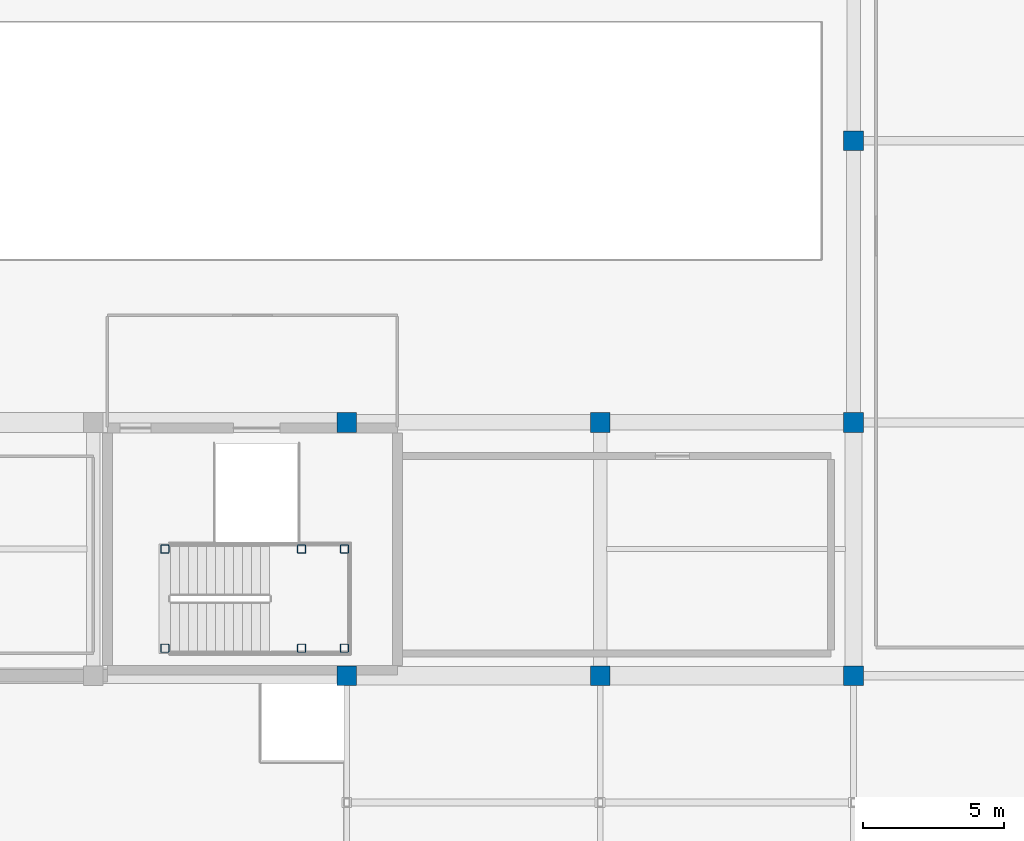
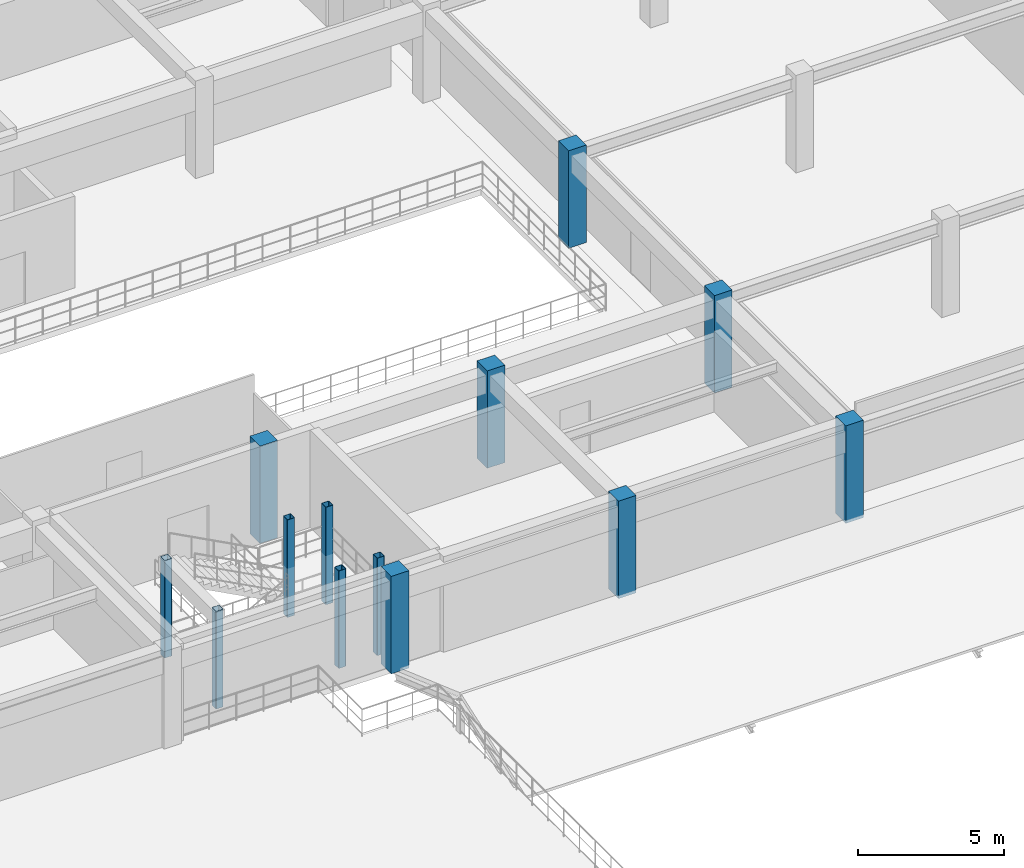
# One storey, part 4 of 110: 13 columns.
"""IFC4 building model written with IfcOpenShell, lengths in metres."""

from ifc_helpers import new_model, si_unit, direction, frame, origin, origin_2d, place, context, subcontext, project, spatial, rectangle, hollow_rectangle, extrude, material, material_profile, profile_set, type_object, element, save


model = new_model("IFC4")

# Units and contexts
model_context = context("Model", 3, precision=1e-05, world=origin(), true_north=direction((0.0, 1.0)))
body_context = subcontext(model_context, "Body", "Model", "MODEL_VIEW")
ifc_project = project(units=[si_unit("LENGTHUNIT", "METRE"), si_unit("AREAUNIT", "SQUARE_METRE"), si_unit("VOLUMEUNIT", "CUBIC_METRE"), si_unit("PLANEANGLEUNIT", "RADIAN"), si_unit("MASSUNIT", "GRAM", prefix="KILO")], contexts=[model_context])

# Site, building, storey
site_placement = place(None, origin())
site = spatial("IfcSite", under=ifc_project, at=site_placement, CompositionType="ELEMENT")
building_placement = place(site_placement, origin())
building = spatial("IfcBuilding", under=site, at=building_placement, Name="Miravela Opera House", CompositionType="ELEMENT")
storey_placement = place(building_placement, frame((0.0, 0.0, 13.60009765625)))
storey = spatial("IfcBuildingStorey", under=building, at=storey_placement, Name="L03", CompositionType="ELEMENT", Elevation=13.60009765625)

# Columns
ifc_material_1 = material(Name="Hollow structural steel ASTM A500 Gr. C", Category="steel")
ifc_material_profile_1 = material_profile(ifc_material_1, hollow_rectangle(XDim=0.300048828125, YDim=0.300048828125, WallThickness=0.01611328125, InnerFilletRadius=0.01611328125, OuterFilletRadius=0.031982421875, at=origin_2d()), Name="HSS300X300X16")
ifc_profile_set_1 = profile_set([ifc_material_profile_1])
column_type_1 = type_object("IfcColumnType", Name="STR-COL-HSS300", PredefinedType="COLUMN", material=ifc_profile_set_1)
for number, where, z_axis, x_axis, name in (
    (1, (110.5400390625, 37.97998046875, 0.0), (0.0, 0.0, 1.0), (1.0, 0.0, 0.0), "Stair K4 Landing Support Column 1 (L03)"),
    (2, (110.5400390625, 41.5, 0.0), (0.0, 0.0, 1.0), (1.0, 0.0, 0.0), "Stair K4 Landing Support Column 2 (L03)"),
    (3, (115.39990234375, 37.97998046875, 0.0), (0.0, 0.0, 1.0), (1.0, 0.0, 0.0), "Stair K4 Landing Support Column 3 (L03)"),
    (4, (115.39990234375, 41.5, 0.0), (0.0, 0.0, 1.0), (1.0, 0.0, 0.0), "Stair K4 Landing Support Column 4 (L03)"),
    (5, (116.919921875, 37.97998046875, 0.0), (0.0, 0.0, 1.0), (1.0, 0.0, 0.0), "Stair K4 Landing Support Column 5 (L03)"),
    (6, (116.919921875, 41.5, 0.0), (0.0, 0.0, 1.0), (1.0, 0.0, 0.0), "Stair K4 Landing Support Column 6 (L03)"),
):
    element("IfcColumn", number, at=place(storey_placement, frame(where, z_axis=z_axis, x_axis=x_axis)), inside=storey, type_object=column_type_1, Name=name, PredefinedType="COLUMN", context=body_context, shape_type="SweptSolid", body=[
        extrude(hollow_rectangle(XDim=0.300048828125, YDim=0.300048828125, WallThickness=0.01611328125, InnerFilletRadius=0.01611328125, OuterFilletRadius=0.031982421875, at=origin_2d()), origin(), (0.0, 0.0, 1.0), 4.079833984375),
    ])
ifc_material_2 = material(Name="Concrete C35/45", Category="concrete")
ifc_material_profile_2 = material_profile(ifc_material_2, rectangle(XDim=0.699951171875, YDim=0.699951171875, at=origin_2d()), Name="RC-COL-700X700")
ifc_profile_set_2 = profile_set([ifc_material_profile_2])
column_type_2 = type_object("IfcColumnType", Name="STR-COL-RC700", PredefinedType="COLUMN", material=ifc_profile_set_2)
for number, where, z_axis, x_axis, name in (
    (7, (117.0, 37.0, 0.0), (0.0, 0.0, 1.0), (1.0, 0.0, 0.0), "Column C-14E (L03)"),
    (8, (117.0, 46.0, 0.0), (0.0, 0.0, 1.0), (1.0, 0.0, 0.0), "Column C-14F (L03)"),
    (9, (126.0, 37.0, 0.0), (0.0, 0.0, 1.0), (1.0, 0.0, 0.0), "Column C-15E (L03)"),
    (10, (126.0, 46.0, 0.0), (0.0, 0.0, 1.0), (1.0, 0.0, 0.0), "Column C-15F (L03)"),
    (11, (135.0, 37.0, 0.0), (0.0, 0.0, 1.0), (1.0, 0.0, 0.0), "Column C-16E (L03)"),
    (12, (135.0, 46.0, 0.0), (0.0, 0.0, 1.0), (1.0, 0.0, 0.0), "Column C-16F (L03)"),
    (13, (135.0, 56.0, 0.0), (0.0, 0.0, 1.0), (1.0, 0.0, 0.0), "Column C-16G (L03)"),
):
    element("IfcColumn", number, at=place(storey_placement, frame(where, z_axis=z_axis, x_axis=x_axis)), inside=storey, type_object=column_type_2, Name=name, PredefinedType="COLUMN", context=body_context, shape_type="SweptSolid", body=[
        extrude(rectangle(XDim=0.699951171875, YDim=0.699951171875, at=origin_2d()), origin(), (0.0, 0.0, 1.0), 4.079833984375),
    ])

save(model, "model.ifc")
